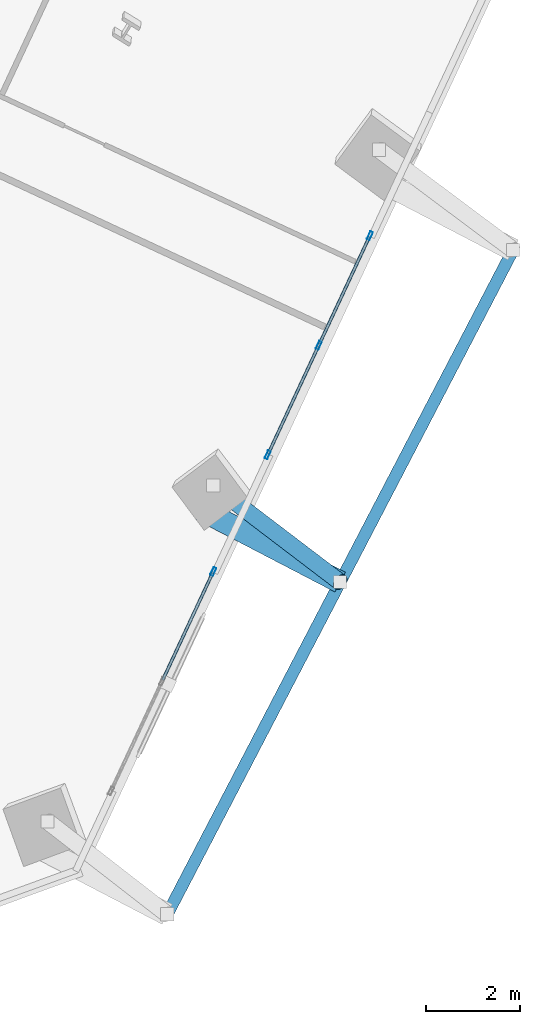
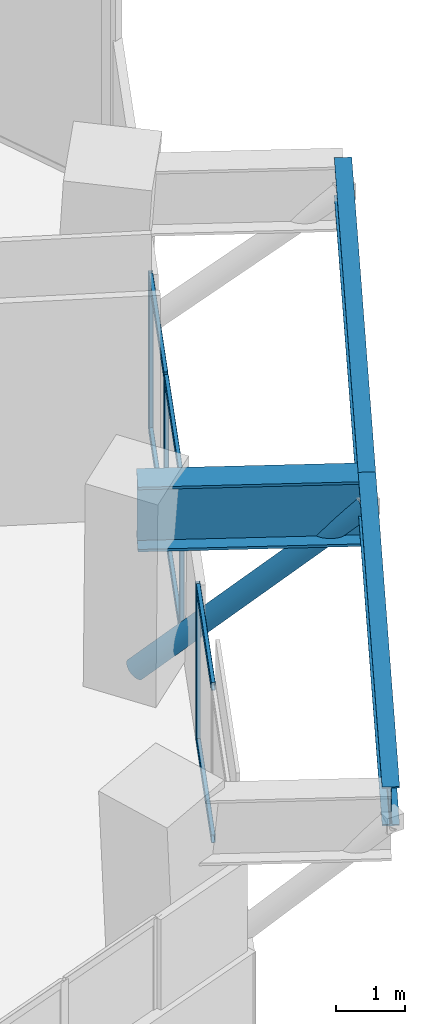
# One storey, part 8 of 21: 11 members, 3 beams, 2 elements without a shape of their own.
"""IFC4 building model written with IfcOpenShell, lengths in metres."""

import ifcopenshell
import ifcopenshell.guid

model = None  # the IFC model being written
_history = None  # IfcOwnerHistory: only IFC2X3 demands one
_inside = {}  # id of a spatial element -> (the spatial element, [elements in it])
_under = {}  # id of a project, library or spatial element -> (it, [spatial elements below it])
_declared = {}  # id of a project -> (the project, [libraries it declares])
_typed = {}  # id of a type object -> (the type object, [elements of that type])
_made_of = {}  # id of a material, layer set ... -> (it, [elements and type objects made of it])


def new_model(schema):
    """Start an empty IFC model of exactly this schema.

    Asked for "IFC4X3", IfcOpenShell would pick the latest addendum, in which some entities
    have other attributes; the version numbers below select the first issue.
    IFC2X3 requires an IfcOwnerHistory on every rooted entity: one is made here for all.
    """
    global model, _history
    if schema == "IFC4X3":
        model = ifcopenshell.file(schema_version=(4, 3, 0, 0))
    else:
        model = ifcopenshell.file(schema=schema)
    _inside.clear()
    _under.clear()
    _declared.clear()
    _typed.clear()
    _made_of.clear()
    _history = None
    if model.schema == "IFC2X3":
        org = make("IfcOrganization", Name="unknown")
        user = make(
            "IfcPersonAndOrganization",
            ThePerson=make("IfcPerson", FamilyName="unknown"),
            TheOrganization=org,
        )
        app = make(
            "IfcApplication",
            ApplicationDeveloper=org,
            Version="unknown",
            ApplicationFullName="unknown",
            ApplicationIdentifier="unknown",
        )
        _history = make(
            "IfcOwnerHistory",
            OwningUser=user,
            OwningApplication=app,
            ChangeAction="ADDED",
            CreationDate=0,
        )
    return model


def make(cls, **values):
    """One entity of the class cls with the attributes given. An attribute that is None is left unset."""
    return model.create_entity(
        cls, **{name: value for name, value in values.items() if value is not None}
    )


def rooted(cls, **values):
    """An entity with a GlobalId (a new one), such as an element, a storey or a relation."""
    return make(cls, GlobalId=ifcopenshell.guid.new(), OwnerHistory=_history, **values)


def si_unit(unit_type, name, prefix=None):
    """IfcSIUnit, for example si_unit("LENGTHUNIT", "METRE", prefix="MILLI")."""
    return make("IfcSIUnit", UnitType=unit_type, Prefix=prefix, Name=name)


def assignment(units):
    """IfcUnitAssignment: the units of a project."""
    return None if units is None else make("IfcUnitAssignment", Units=units)


def point(xyz):
    """IfcCartesianPoint."""
    return None if xyz is None else make("IfcCartesianPoint", Coordinates=xyz)


def direction(xyz):
    """IfcDirection."""
    return None if xyz is None else make("IfcDirection", DirectionRatios=xyz)


def frame(location, z_axis=None, x_axis=None):
    """IfcAxis2Placement3D, a coordinate frame: its origin and axes. An axis left out is left unset."""
    return make(
        "IfcAxis2Placement3D",
        Location=point(location),
        Axis=direction(z_axis),
        RefDirection=direction(x_axis),
    )


def frame_2d(location, x_axis=None):
    """IfcAxis2Placement2D, a coordinate frame in the plane: its origin and x axis."""
    return make(
        "IfcAxis2Placement2D", Location=point(location), RefDirection=direction(x_axis)
    )


def origin():
    """The frame at (0, 0, 0) with its axes left unset."""
    return frame((0.0, 0.0, 0.0))


def origin_2d():
    """The frame at (0, 0) in the plane with its x axis left unset."""
    return frame_2d((0.0, 0.0))


def place(relative_to, where):
    """IfcLocalPlacement: puts the frame where relative to a parent placement (None: the world)."""
    return make(
        "IfcLocalPlacement", PlacementRelTo=relative_to, RelativePlacement=where
    )


def context(
    kind, dimensions, precision=None, world=None, true_north=None, identifier=None
):
    """IfcGeometricRepresentationContext, for example the 3D "Model" context."""
    return make(
        "IfcGeometricRepresentationContext",
        ContextIdentifier=identifier,
        ContextType=kind,
        CoordinateSpaceDimension=dimensions,
        Precision=precision,
        WorldCoordinateSystem=world,
        TrueNorth=true_north,
    )


def subcontext(parent, identifier, kind, view, scale=None):
    """IfcGeometricRepresentationSubContext, for example "Body" below "Model"."""
    return make(
        "IfcGeometricRepresentationSubContext",
        ContextIdentifier=identifier,
        ContextType=kind,
        ParentContext=parent,
        TargetScale=scale,
        TargetView=view,
    )


def project(units=None, contexts=None):
    """IfcProject with its units and contexts."""
    return rooted(
        "IfcProject",
        Name="project",
        RepresentationContexts=contexts,
        UnitsInContext=assignment(units),
    )


def spatial(cls, under=None, at=None, **own):
    """A site, building, storey or space (cls), placed at a placement, below another one or the project."""
    s = rooted(cls, ObjectPlacement=at, **own)
    if under is not None:
        _under.setdefault(under.id(), (under, []))[1].append(s)
    return s


def profile(cls, at=None, kind="AREA", **sizes):
    """A parametric profile (cls). Its sizes go by their IFC names, for example OverallWidth=200.0."""
    return make(cls, ProfileType=kind, Position=at, **sizes)


def hollow_rectangle(**sizes):
    """IfcRectangleHollowProfileDef."""
    return profile("IfcRectangleHollowProfileDef", **sizes)


def hollow_circle(**sizes):
    """IfcCircleHollowProfileDef."""
    return profile("IfcCircleHollowProfileDef", **sizes)


def i_section(**sizes):
    """IfcIShapeProfileDef."""
    return profile("IfcIShapeProfileDef", **sizes)


def extrude(swept, where, along, depth):
    """IfcExtrudedAreaSolid: the profile swept, set in the frame where, extruded along a direction by depth."""
    return make(
        "IfcExtrudedAreaSolid",
        SweptArea=swept,
        Position=where,
        ExtrudedDirection=direction(along),
        Depth=depth,
    )


def shape(context_of_items, identifier, shape_type, items):
    """IfcShapeRepresentation: the items that make up one representation, for example the "Body"."""
    return make(
        "IfcShapeRepresentation",
        ContextOfItems=context_of_items,
        RepresentationIdentifier=identifier,
        RepresentationType=shape_type,
        Items=items,
    )


def source(mapping_origin, context_of_items, identifier, shape_type, items):
    """IfcRepresentationMap: a shape defined once, which mapped items show again and again."""
    return make(
        "IfcRepresentationMap",
        MappingOrigin=mapping_origin,
        MappedRepresentation=shape(context_of_items, identifier, shape_type, items),
    )


def transform(
    local_origin,
    x_axis=None,
    y_axis=None,
    z_axis=None,
    scale=None,
    scale2=None,
    scale3=None,
    uniform=True,
):
    """IfcCartesianTransformationOperator3D, or its non-uniform kind. x_axis, y_axis, z_axis: its Axis1, 2, 3."""
    if uniform:
        return make(
            "IfcCartesianTransformationOperator3D",
            Axis1=direction(x_axis),
            Axis2=direction(y_axis),
            LocalOrigin=point(local_origin),
            Scale=scale,
            Axis3=direction(z_axis),
        )
    return make(
        "IfcCartesianTransformationOperator3DnonUniform",
        Axis1=direction(x_axis),
        Axis2=direction(y_axis),
        LocalOrigin=point(local_origin),
        Scale=scale,
        Axis3=direction(z_axis),
        Scale2=scale2,
        Scale3=scale3,
    )


def mapped(mapping_source, mapping_target):
    """IfcMappedItem: shows the shape of a source again, moved by a transform."""
    return make(
        "IfcMappedItem", MappingSource=mapping_source, MappingTarget=mapping_target
    )


def material(Name=None, Category=None):
    """IfcMaterial."""
    return make("IfcMaterial", Name=Name, Category=Category)


def material_profile(
    of_material, cross_section, Name=None, Category=None, Priority=None
):
    """IfcMaterialProfile: a cross section and its material."""
    return make(
        "IfcMaterialProfile",
        Name=Name,
        Material=of_material,
        Profile=cross_section,
        Priority=Priority,
        Category=Category,
    )


def profile_set(profiles, Name=None, composite=None):
    """IfcMaterialProfileSet."""
    return make(
        "IfcMaterialProfileSet",
        Name=Name,
        MaterialProfiles=profiles,
        CompositeProfile=composite,
    )


def made_of(thing, what):
    """Note that an element or type object is made of a material, layer set ...; save() writes the relation."""
    if what is not None:
        _made_of.setdefault(what.id(), (what, []))[1].append(thing)
    return thing


def type_object(cls, material=None, **own):
    """A type object (cls), such as IfcWallType, which elements share."""
    return made_of(rooted(cls, **own), material)


def element(
    cls,
    number,
    at=None,
    inside=None,
    cuts=None,
    type_object=None,
    material=None,
    context=None,
    identifier="Body",
    shape_type=None,
    held_by="IfcProductDefinitionShape",
    body=None,
    shapes=None,
    **own,
):
    """One element of the class cls, such as IfcWall. Its Tag is "e" and its number.

    at: its placement. inside: the storey or other place that contains it. cuts: it is an
    opening in that element (IfcRelVoidsElement). A single representation is given by context,
    identifier, shape_type and body (its items); several are given by shapes. held_by: the class
    of the entity that holds the representations. save() writes the other relations.
    """
    e = rooted(cls, Tag="e%d" % number, ObjectPlacement=at, **own)
    if body is not None:
        shapes = [shape(context, identifier, shape_type, body)]
    if shapes is not None:
        e.Representation = make(held_by, Representations=shapes)
    if inside is not None:
        _inside.setdefault(inside.id(), (inside, []))[1].append(e)
    if cuts is not None:
        rooted(
            "IfcRelVoidsElement", RelatingBuildingElement=cuts, RelatedOpeningElement=e
        )
    if type_object is not None:
        _typed.setdefault(type_object.id(), (type_object, []))[1].append(e)
    return made_of(e, material)


def aggregate(whole, parts):
    """IfcRelAggregates: a whole, such as a stair, and the parts it consists of."""
    return rooted("IfcRelAggregates", RelatingObject=whole, RelatedObjects=parts)


def save(model, path):
    """Write the relations noted so far, then the file.

    IfcRelAggregates (storeys below a building ...), IfcRelContainedInSpatialStructure (elements
    in a storey), IfcRelDefinesByType, IfcRelAssociatesMaterial and IfcRelDeclares: one each for
    every whole, place, type object, material and project.
    """
    for whole, parts in _under.values():
        aggregate(whole, parts)
    for where, things in _inside.values():
        rooted(
            "IfcRelContainedInSpatialStructure",
            RelatedElements=things,
            RelatingStructure=where,
        )
    for kind, things in _typed.values():
        rooted("IfcRelDefinesByType", RelatedObjects=things, RelatingType=kind)
    for what, things in _made_of.values():
        rooted("IfcRelAssociatesMaterial", RelatedObjects=things, RelatingMaterial=what)
    for by, libraries in _declared.values():
        rooted("IfcRelDeclares", RelatingContext=by, RelatedDefinitions=libraries)
    model.write(path)


model = new_model("IFC4")

# Units and contexts
model_context = context("Model", 3, precision=1e-05, world=origin(), true_north=direction((0.0, 1.0)))
body_context = subcontext(model_context, "Body", "Model", "MODEL_VIEW")
ifc_project = project(units=[si_unit("LENGTHUNIT", "METRE"), si_unit("AREAUNIT", "SQUARE_METRE"), si_unit("VOLUMEUNIT", "CUBIC_METRE"), si_unit("PLANEANGLEUNIT", "RADIAN"), si_unit("MASSUNIT", "GRAM", prefix="KILO")], contexts=[model_context])

# Site, building, storey
site_placement = place(None, origin())
site = spatial("IfcSite", under=ifc_project, at=site_placement, CompositionType="ELEMENT")
building_placement = place(site_placement, origin())
building = spatial("IfcBuilding", under=site, at=building_placement, Name="Torre Montelarca", CompositionType="ELEMENT")
storey_placement = place(building_placement, frame((0.0, 0.0, 162.39990234375)))
storey = spatial("IfcBuildingStorey", under=building, at=storey_placement, Name="L36", CompositionType="ELEMENT", Elevation=162.39990234375)

# Member
ifc_material_1 = material(Name="Steel ASTM A500 Grade C", Category="steel")
ifc_material_profile_1 = material_profile(ifc_material_1, hollow_circle(Radius=0.177734375, WallThickness=0.015869140625, at=origin_2d()), Name="HSS355.6X15.9", Category="steel")
ifc_profile_set_1 = profile_set([ifc_material_profile_1], Name="Steel ASTM A500 Grade C")
member_type_1 = type_object("IfcMemberType", Name="MB-BR-CHS356-EXT", PredefinedType="BRACE", material=ifc_profile_set_1)
shared_shape_1 = source(origin(), body_context, "Body", "SweptSolid", [
    extrude(hollow_circle(Radius=0.177734375, WallThickness=0.015869140625, at=origin_2d()), origin(), (0.0, 0.0, 1.0), 4.697265625),
])
member_1_placement = place(storey_placement, frame((45.26708984375, 20.279296875, 0.150146484375), z_axis=(0.576986114768, -0.439093658009, 0.688682643066), x_axis=(0.605593879637, 0.795773870485, 0.0)))
element("IfcMember", 1, at=member_1_placement, inside=storey, type_object=member_type_1, Name="L37 Sliding Tray Exterior Diagonal Raker Strut E2", PredefinedType="BRACE", context=body_context, shape_type="MappedRepresentation", body=[
    mapped(shared_shape_1, transform((0.0, 0.0, 0.0), scale=1.0)),
])

# Beams
ifc_material_2 = material(Name="Steel ASTM A572 Grade 50", Category="steel")
ifc_material_profile_2 = material_profile(ifc_material_2, i_section(OverallWidth=0.47998046875, OverallDepth=1.14990234375, WebThickness=0.02197265625, FlangeThickness=0.044921875, at=origin_2d()), Name="PG1150X480X22X45", Category="steel")
ifc_profile_set_2 = profile_set([ifc_material_profile_2], Name="Steel ASTM A572 Grade 50")
beam_type_1 = type_object("IfcBeamType", Name="BM-CG-PG1400-EXT", PredefinedType="USERDEFINED", material=ifc_profile_set_2)
shared_shape_2 = source(origin(), body_context, "Body", "SweptSolid", [
    extrude(i_section(OverallWidth=0.47998046875, OverallDepth=1.14990234375, WebThickness=0.02197265625, FlangeThickness=0.044921875, at=origin_2d()), origin(), (0.0, 0.0, 1.0), 3.349853515625),
])
beam_placement = place(storey_placement, frame((45.005859375, 19.763671875, 3.385009765625), z_axis=(0.887005507171, -0.461758844256, 0.0), x_axis=(0.461758844256, 0.887005507171, 0.0)))
element("IfcBeam", 2, at=beam_placement, inside=storey, type_object=beam_type_1, Name="L36 Sliding Tray Cantilever Girder East Y=32m (FLR)", ObjectType="CANTILEVER GIRDER", PredefinedType="USERDEFINED", context=body_context, shape_type="MappedRepresentation", body=[
    mapped(shared_shape_2, transform((0.0, 0.0, 0.0), scale=1.0)),
])
ifc_material_3 = material(Name="Steel ASTM A992 Grade 50", Category="steel")
ifc_material_profile_3 = material_profile(ifc_material_3, i_section(OverallWidth=0.256103515625, OverallDepth=0.693115234375, WebThickness=0.014404296875, FlangeThickness=0.023681640625, FilletRadius=0.01806640625, at=origin_2d()), Name="W690X170", Category="steel")
ifc_profile_set_3 = profile_set([ifc_material_profile_3], Name="Steel ASTM A992 Grade 50")
beam_type_2 = type_object("IfcBeamType", Name="BM-G-W690-EXT", PredefinedType="BEAM", material=ifc_profile_set_3)
shared_shape_3 = source(origin(), body_context, "Body", "SweptSolid", [
    extrude(i_section(OverallWidth=0.256103515625, OverallDepth=0.693115234375, WebThickness=0.014404296875, FlangeThickness=0.023681640625, FilletRadius=0.01806640625, at=origin_2d()), origin(), (0.0, 0.0, 1.0), 8.000244140625),
])
for number, where, z_axis, x_axis, name in (
    (3, (44.283203125, 11.12060546875, 3.614013671875), (0.461753369906, 0.887008356996, 0.0), (-0.887008356996, 0.461753369906, 0.0), "L36 Sliding Tray Edge Girder East 24-32m (FLR)"),
    (4, (47.977294921875, 18.216796875, 3.614013671875), (0.461753369906, 0.887008356996, 0.0), (-0.887008356996, 0.461753369906, 0.0), "L36 Sliding Tray Edge Girder East 32-40m (FLR)"),
):
    element("IfcBeam", number, at=place(storey_placement, frame(where, z_axis=z_axis, x_axis=x_axis)), inside=storey, type_object=beam_type_2, Name=name, PredefinedType="BEAM", context=body_context, shape_type="MappedRepresentation", body=[
        mapped(shared_shape_3, transform((0.0, 0.0, 0.0), scale=1.0)),
    ])

# Curtain wall, member
ifc_material_4 = material(Name="Insulated low-E laminated glass", Category="glass")
curtain_wall_type = type_object("IfcCurtainWallType", Name="CW-SYS-Z2", PredefinedType="USERDEFINED", material=ifc_material_4)
curtain_wall_1_placement = place(storey_placement, origin())
curtain_wall_1 = element("IfcCurtainWall", 5, at=curtain_wall_1_placement, inside=storey, type_object=curtain_wall_type, Name="L36 Curtain Wall Run CW-T3-L36-E06-B1", ObjectType="UNITISED GLAZING", PredefinedType="USERDEFINED")
ifc_material_5 = material(Name="Anodised aluminium AA 6063-T6", Category="aluminium")
ifc_material_profile_4 = material_profile(ifc_material_5, hollow_rectangle(XDim=0.06494140625, YDim=0.179931640625, WallThickness=0.00390625, InnerFilletRadius=0.00390625, OuterFilletRadius=0.008056640625, at=origin_2d()), Name="ALU65X180X4", Category="aluminium")
ifc_profile_set_4 = profile_set([ifc_material_profile_4], Name="Anodised aluminium AA 6063-T6")
member_type_2 = type_object("IfcMemberType", Name="CWM-ALU180", PredefinedType="MULLION", material=ifc_profile_set_4)
shared_shape_4 = source(origin(), body_context, "Body", "SweptSolid", [
    extrude(hollow_rectangle(XDim=0.06494140625, YDim=0.179931640625, WallThickness=0.00390625, InnerFilletRadius=0.00390625, OuterFilletRadius=0.008056640625, at=origin_2d()), origin(), (0.0, 0.0, 1.0), 2.775146484375),
])
member_2_placement = place(storey_placement, frame((45.266845703125, 18.442138671875, 0.0), z_axis=(0.0, 0.0, 1.0), x_axis=(-0.906303146852, 0.422628212506, 0.0)))
member_2 = element("IfcMember", 6, at=member_2_placement, type_object=member_type_2, Name="CW mullion 3", PredefinedType="MULLION", context=body_context, shape_type="MappedRepresentation", body=[
    mapped(shared_shape_4, transform((0.0, 0.0, 0.0), scale=1.0)),
])

# Curtain wall, members
curtain_wall_2_placement = place(storey_placement, origin())
curtain_wall_2 = element("IfcCurtainWall", 7, at=curtain_wall_2_placement, inside=storey, type_object=curtain_wall_type, Name="L36 Curtain Wall Run CW-T3-L36-E06-B2", ObjectType="UNITISED GLAZING", PredefinedType="USERDEFINED")
member_3_placement = place(storey_placement, frame((46.43017578125, 20.936767578125, 0.0), z_axis=(0.0, 0.0, 1.0), x_axis=(-0.906301325352, 0.422632118592, 0.0)))
member_3 = element("IfcMember", 8, at=member_3_placement, type_object=member_type_2, Name="CW mullion 1", PredefinedType="MULLION", context=body_context, shape_type="MappedRepresentation", body=[
    mapped(shared_shape_4, transform((0.0, 0.0, 0.0), scale=1.0)),
])
member_4_placement = place(storey_placement, frame((47.521484375, 23.277099609375, 0.0), z_axis=(0.0, 0.0, 1.0), x_axis=(-0.906301325352, 0.422632118592, 0.0)))
member_4 = element("IfcMember", 9, at=member_4_placement, type_object=member_type_2, Name="CW mullion 2", PredefinedType="MULLION", context=body_context, shape_type="MappedRepresentation", body=[
    mapped(shared_shape_4, transform((0.0, 0.0, 0.0), scale=1.0)),
])
member_5_placement = place(storey_placement, frame((48.613037109375, 25.617431640625, 0.0), z_axis=(0.0, 0.0, 1.0), x_axis=(-0.906301325352, 0.422632118592, 0.0)))
member_5 = element("IfcMember", 10, at=member_5_placement, type_object=member_type_2, Name="CW mullion 3", PredefinedType="MULLION", context=body_context, shape_type="MappedRepresentation", body=[
    mapped(shared_shape_4, transform((0.0, 0.0, 0.0), scale=1.0)),
])

# Member
ifc_material_profile_5 = material_profile(ifc_material_5, hollow_rectangle(XDim=0.06494140625, YDim=0.139892578125, WallThickness=0.00390625, InnerFilletRadius=0.00390625, OuterFilletRadius=0.008056640625, at=origin_2d()), Name="ALU65X140X4", Category="aluminium")
ifc_profile_set_5 = profile_set([ifc_material_profile_5], Name="Anodised aluminium AA 6063-T6")
member_type_3 = type_object("IfcMemberType", Name="CWT-ALU140", PredefinedType="USERDEFINED", material=ifc_profile_set_5)
shared_shape_5 = source(origin(), body_context, "Body", "SweptSolid", [
    extrude(hollow_rectangle(XDim=0.06494140625, YDim=0.139892578125, WallThickness=0.00390625, InnerFilletRadius=0.00390625, OuterFilletRadius=0.008056640625, at=origin_2d()), origin(), (0.0, 0.0, 1.0), 2.52001953125),
])
member_6_placement = place(storey_placement, frame((44.188232421875, 16.128662109375, 0.03271484375), z_axis=(0.422593740496, 0.906319221077, 0.0), x_axis=(-0.906319221077, 0.422593740496, 0.0)))
member_6 = element("IfcMember", 11, at=member_6_placement, type_object=member_type_3, Name="CW transom 2.1", ObjectType="TRANSOM", PredefinedType="USERDEFINED", context=body_context, shape_type="MappedRepresentation", body=[
    mapped(shared_shape_5, transform((0.0, 0.0, 0.0), scale=1.0)),
])

member_7_placement = place(storey_placement, frame((44.188232421875, 16.128662109375, 2.74267578125), z_axis=(0.422593740496, 0.906319221077, 0.0), x_axis=(-0.906319221077, 0.422593740496, 0.0)))
member_7 = element("IfcMember", 12, at=member_7_placement, type_object=member_type_3, Name="CW transom 2.2", ObjectType="TRANSOM", PredefinedType="USERDEFINED", context=body_context, shape_type="MappedRepresentation", body=[
    mapped(shared_shape_5, transform((0.0, 0.0, 0.0), scale=1.0)),
])

aggregate(curtain_wall_1, [member_2, member_6, member_7])

shared_shape_6 = source(origin(), body_context, "Body", "SweptSolid", [
    extrude(hollow_rectangle(XDim=0.06494140625, YDim=0.139892578125, WallThickness=0.00390625, InnerFilletRadius=0.00390625, OuterFilletRadius=0.008056640625, at=origin_2d()), origin(), (0.0, 0.0, 1.0), 2.517333984375),
])
member_8_placement = place(storey_placement, frame((46.444091796875, 20.96630859375, 0.03271484375), z_axis=(0.422566872898, 0.906331748274, 0.0), x_axis=(-0.906331748274, 0.422566872898, 0.0)))
member_8 = element("IfcMember", 13, at=member_8_placement, type_object=member_type_3, Name="CW transom 1.1", ObjectType="TRANSOM", PredefinedType="USERDEFINED", context=body_context, shape_type="MappedRepresentation", body=[
    mapped(shared_shape_6, transform((0.0, 0.0, 0.0), scale=1.0)),
])

member_9_placement = place(storey_placement, frame((46.444091796875, 20.96630859375, 2.74267578125), z_axis=(0.422566872898, 0.906331748274, 0.0), x_axis=(-0.906331748274, 0.422566872898, 0.0)))
member_9 = element("IfcMember", 14, at=member_9_placement, type_object=member_type_3, Name="CW transom 1.2", ObjectType="TRANSOM", PredefinedType="USERDEFINED", context=body_context, shape_type="MappedRepresentation", body=[
    mapped(shared_shape_6, transform((0.0, 0.0, 0.0), scale=1.0)),
])

member_10_placement = place(storey_placement, frame((47.535400390625, 23.306640625, 0.03271484375), z_axis=(0.422566872898, 0.906331748274, 0.0), x_axis=(-0.906331748274, 0.422566872898, 0.0)))
member_10 = element("IfcMember", 15, at=member_10_placement, type_object=member_type_3, Name="CW transom 2.1", ObjectType="TRANSOM", PredefinedType="USERDEFINED", context=body_context, shape_type="MappedRepresentation", body=[
    mapped(shared_shape_6, transform((0.0, 0.0, 0.0), scale=1.0)),
])

member_11_placement = place(storey_placement, frame((47.535400390625, 23.306640625, 2.74267578125), z_axis=(0.422566872898, 0.906331748274, 0.0), x_axis=(-0.906331748274, 0.422566872898, 0.0)))
member_11 = element("IfcMember", 16, at=member_11_placement, type_object=member_type_3, Name="CW transom 2.2", ObjectType="TRANSOM", PredefinedType="USERDEFINED", context=body_context, shape_type="MappedRepresentation", body=[
    mapped(shared_shape_6, transform((0.0, 0.0, 0.0), scale=1.0)),
])

aggregate(curtain_wall_2, [member_3, member_4, member_5, member_8, member_9, member_10, member_11])

save(model, "model.ifc")
